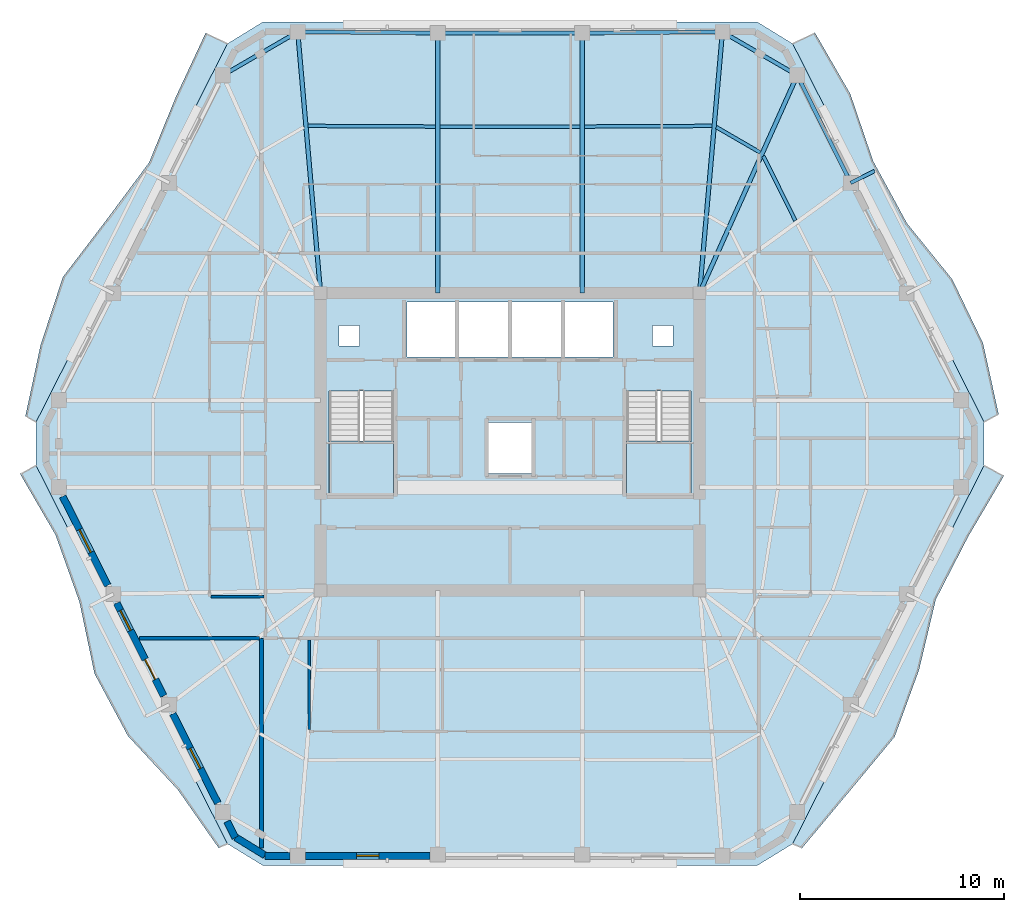
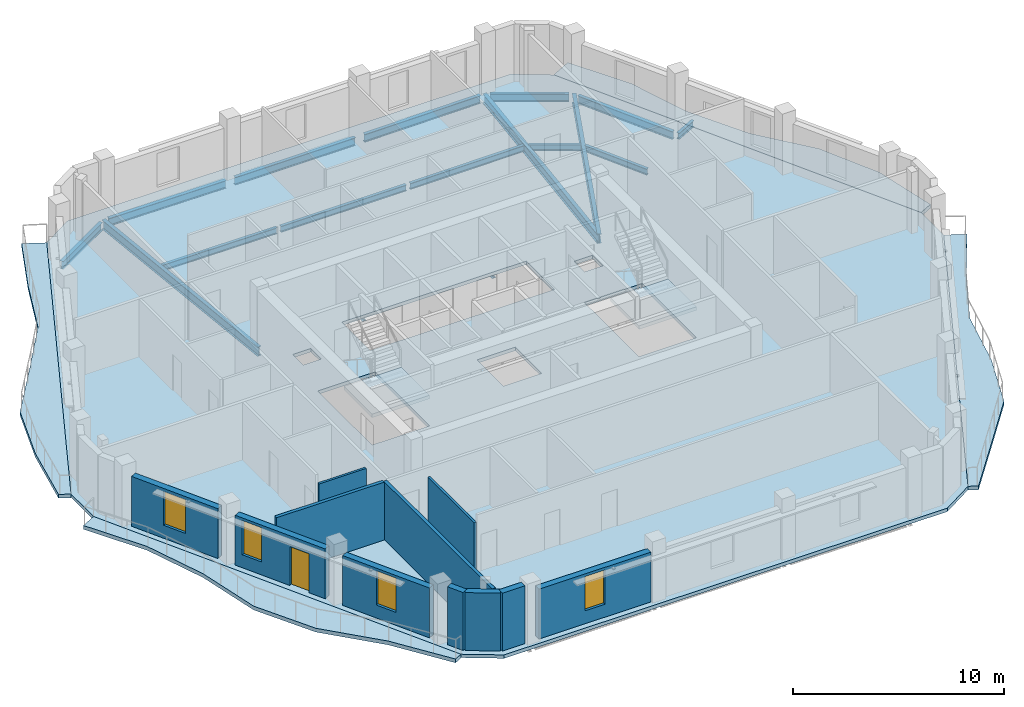
# One storey, part 3 of 11: 17 beams, 11 walls, 7 slabs, 4 windows, 1 door, 5 openings, 2 elements without a shape of their own.
"""IFC4 building model written with IfcOpenShell, lengths in metres."""

import ifcopenshell
import ifcopenshell.guid

model = None  # the IFC model being written
_history = None  # IfcOwnerHistory: only IFC2X3 demands one
_inside = {}  # id of a spatial element -> (the spatial element, [elements in it])
_under = {}  # id of a project, library or spatial element -> (it, [spatial elements below it])
_declared = {}  # id of a project -> (the project, [libraries it declares])
_typed = {}  # id of a type object -> (the type object, [elements of that type])
_made_of = {}  # id of a material, layer set ... -> (it, [elements and type objects made of it])


def new_model(schema):
    """Start an empty IFC model of exactly this schema.

    Asked for "IFC4X3", IfcOpenShell would pick the latest addendum, in which some entities
    have other attributes; the version numbers below select the first issue.
    IFC2X3 requires an IfcOwnerHistory on every rooted entity: one is made here for all.
    """
    global model, _history
    if schema == "IFC4X3":
        model = ifcopenshell.file(schema_version=(4, 3, 0, 0))
    else:
        model = ifcopenshell.file(schema=schema)
    _inside.clear()
    _under.clear()
    _declared.clear()
    _typed.clear()
    _made_of.clear()
    _history = None
    if model.schema == "IFC2X3":
        org = make("IfcOrganization", Name="unknown")
        user = make(
            "IfcPersonAndOrganization",
            ThePerson=make("IfcPerson", FamilyName="unknown"),
            TheOrganization=org,
        )
        app = make(
            "IfcApplication",
            ApplicationDeveloper=org,
            Version="unknown",
            ApplicationFullName="unknown",
            ApplicationIdentifier="unknown",
        )
        _history = make(
            "IfcOwnerHistory",
            OwningUser=user,
            OwningApplication=app,
            ChangeAction="ADDED",
            CreationDate=0,
        )
    return model


def make(cls, **values):
    """One entity of the class cls with the attributes given. An attribute that is None is left unset."""
    return model.create_entity(
        cls, **{name: value for name, value in values.items() if value is not None}
    )


def rooted(cls, **values):
    """An entity with a GlobalId (a new one), such as an element, a storey or a relation."""
    return make(cls, GlobalId=ifcopenshell.guid.new(), OwnerHistory=_history, **values)


def si_unit(unit_type, name, prefix=None):
    """IfcSIUnit, for example si_unit("LENGTHUNIT", "METRE", prefix="MILLI")."""
    return make("IfcSIUnit", UnitType=unit_type, Prefix=prefix, Name=name)


def assignment(units):
    """IfcUnitAssignment: the units of a project."""
    return None if units is None else make("IfcUnitAssignment", Units=units)


def point(xyz):
    """IfcCartesianPoint."""
    return None if xyz is None else make("IfcCartesianPoint", Coordinates=xyz)


def direction(xyz):
    """IfcDirection."""
    return None if xyz is None else make("IfcDirection", DirectionRatios=xyz)


def frame(location, z_axis=None, x_axis=None):
    """IfcAxis2Placement3D, a coordinate frame: its origin and axes. An axis left out is left unset."""
    return make(
        "IfcAxis2Placement3D",
        Location=point(location),
        Axis=direction(z_axis),
        RefDirection=direction(x_axis),
    )


def frame_2d(location, x_axis=None):
    """IfcAxis2Placement2D, a coordinate frame in the plane: its origin and x axis."""
    return make(
        "IfcAxis2Placement2D", Location=point(location), RefDirection=direction(x_axis)
    )


def origin():
    """The frame at (0, 0, 0) with its axes left unset."""
    return frame((0.0, 0.0, 0.0))


def origin_2d():
    """The frame at (0, 0) in the plane with its x axis left unset."""
    return frame_2d((0.0, 0.0))


def place(relative_to, where):
    """IfcLocalPlacement: puts the frame where relative to a parent placement (None: the world)."""
    return make(
        "IfcLocalPlacement", PlacementRelTo=relative_to, RelativePlacement=where
    )


def context(
    kind, dimensions, precision=None, world=None, true_north=None, identifier=None
):
    """IfcGeometricRepresentationContext, for example the 3D "Model" context."""
    return make(
        "IfcGeometricRepresentationContext",
        ContextIdentifier=identifier,
        ContextType=kind,
        CoordinateSpaceDimension=dimensions,
        Precision=precision,
        WorldCoordinateSystem=world,
        TrueNorth=true_north,
    )


def subcontext(parent, identifier, kind, view, scale=None):
    """IfcGeometricRepresentationSubContext, for example "Body" below "Model"."""
    return make(
        "IfcGeometricRepresentationSubContext",
        ContextIdentifier=identifier,
        ContextType=kind,
        ParentContext=parent,
        TargetScale=scale,
        TargetView=view,
    )


def project(units=None, contexts=None):
    """IfcProject with its units and contexts."""
    return rooted(
        "IfcProject",
        Name="project",
        RepresentationContexts=contexts,
        UnitsInContext=assignment(units),
    )


def spatial(cls, under=None, at=None, **own):
    """A site, building, storey or space (cls), placed at a placement, below another one or the project."""
    s = rooted(cls, ObjectPlacement=at, **own)
    if under is not None:
        _under.setdefault(under.id(), (under, []))[1].append(s)
    return s


def polyline(points):
    """IfcPolyline through the points."""
    return make("IfcPolyline", Points=[point(p) for p in points])


def profile(cls, at=None, kind="AREA", **sizes):
    """A parametric profile (cls). Its sizes go by their IFC names, for example OverallWidth=200.0."""
    return make(cls, ProfileType=kind, Position=at, **sizes)


def rectangle(**sizes):
    """IfcRectangleProfileDef."""
    return profile("IfcRectangleProfileDef", **sizes)


def i_section(**sizes):
    """IfcIShapeProfileDef."""
    return profile("IfcIShapeProfileDef", **sizes)


def outline(outer, holes=None, kind="AREA"):
    """IfcArbitraryClosedProfileDef: a profile drawn as a closed curve; with holes, ...WithVoids."""
    if holes is None:
        return make("IfcArbitraryClosedProfileDef", ProfileType=kind, OuterCurve=outer)
    return make(
        "IfcArbitraryProfileDefWithVoids",
        ProfileType=kind,
        OuterCurve=outer,
        InnerCurves=holes,
    )


def extrude(swept, where, along, depth):
    """IfcExtrudedAreaSolid: the profile swept, set in the frame where, extruded along a direction by depth."""
    return make(
        "IfcExtrudedAreaSolid",
        SweptArea=swept,
        Position=where,
        ExtrudedDirection=direction(along),
        Depth=depth,
    )


def shape(context_of_items, identifier, shape_type, items):
    """IfcShapeRepresentation: the items that make up one representation, for example the "Body"."""
    return make(
        "IfcShapeRepresentation",
        ContextOfItems=context_of_items,
        RepresentationIdentifier=identifier,
        RepresentationType=shape_type,
        Items=items,
    )


def material(Name=None, Category=None):
    """IfcMaterial."""
    return make("IfcMaterial", Name=Name, Category=Category)


def layer(
    of_material, thickness, ventilated=None, Name=None, Category=None, Priority=None
):
    """IfcMaterialLayer: one layer of a wall or slab, of a material (None: an air gap)."""
    return make(
        "IfcMaterialLayer",
        Material=of_material,
        LayerThickness=thickness,
        IsVentilated=ventilated,
        Name=Name,
        Category=Category,
        Priority=Priority,
    )


def layer_set(layers, Name=None):
    """IfcMaterialLayerSet."""
    return make("IfcMaterialLayerSet", MaterialLayers=layers, LayerSetName=Name)


def material_profile(
    of_material, cross_section, Name=None, Category=None, Priority=None
):
    """IfcMaterialProfile: a cross section and its material."""
    return make(
        "IfcMaterialProfile",
        Name=Name,
        Material=of_material,
        Profile=cross_section,
        Priority=Priority,
        Category=Category,
    )


def profile_set(profiles, Name=None, composite=None):
    """IfcMaterialProfileSet."""
    return make(
        "IfcMaterialProfileSet",
        Name=Name,
        MaterialProfiles=profiles,
        CompositeProfile=composite,
    )


def made_of(thing, what):
    """Note that an element or type object is made of a material, layer set ...; save() writes the relation."""
    if what is not None:
        _made_of.setdefault(what.id(), (what, []))[1].append(thing)
    return thing


def type_object(cls, material=None, **own):
    """A type object (cls), such as IfcWallType, which elements share."""
    return made_of(rooted(cls, **own), material)


def element(
    cls,
    number,
    at=None,
    inside=None,
    cuts=None,
    type_object=None,
    material=None,
    context=None,
    identifier="Body",
    shape_type=None,
    held_by="IfcProductDefinitionShape",
    body=None,
    shapes=None,
    **own,
):
    """One element of the class cls, such as IfcWall. Its Tag is "e" and its number.

    at: its placement. inside: the storey or other place that contains it. cuts: it is an
    opening in that element (IfcRelVoidsElement). A single representation is given by context,
    identifier, shape_type and body (its items); several are given by shapes. held_by: the class
    of the entity that holds the representations. save() writes the other relations.
    """
    e = rooted(cls, Tag="e%d" % number, ObjectPlacement=at, **own)
    if body is not None:
        shapes = [shape(context, identifier, shape_type, body)]
    if shapes is not None:
        e.Representation = make(held_by, Representations=shapes)
    if inside is not None:
        _inside.setdefault(inside.id(), (inside, []))[1].append(e)
    if cuts is not None:
        rooted(
            "IfcRelVoidsElement", RelatingBuildingElement=cuts, RelatedOpeningElement=e
        )
    if type_object is not None:
        _typed.setdefault(type_object.id(), (type_object, []))[1].append(e)
    return made_of(e, material)


def fill(opening, filler):
    """IfcRelFillsElement: the door or window that sits in an opening."""
    return rooted(
        "IfcRelFillsElement",
        RelatingOpeningElement=opening,
        RelatedBuildingElement=filler,
    )


def aggregate(whole, parts):
    """IfcRelAggregates: a whole, such as a stair, and the parts it consists of."""
    return rooted("IfcRelAggregates", RelatingObject=whole, RelatedObjects=parts)


def save(model, path):
    """Write the relations noted so far, then the file.

    IfcRelAggregates (storeys below a building ...), IfcRelContainedInSpatialStructure (elements
    in a storey), IfcRelDefinesByType, IfcRelAssociatesMaterial and IfcRelDeclares: one each for
    every whole, place, type object, material and project.
    """
    for whole, parts in _under.values():
        aggregate(whole, parts)
    for where, things in _inside.values():
        rooted(
            "IfcRelContainedInSpatialStructure",
            RelatedElements=things,
            RelatingStructure=where,
        )
    for kind, things in _typed.values():
        rooted("IfcRelDefinesByType", RelatedObjects=things, RelatingType=kind)
    for what, things in _made_of.values():
        rooted("IfcRelAssociatesMaterial", RelatedObjects=things, RelatingMaterial=what)
    for by, libraries in _declared.values():
        rooted("IfcRelDeclares", RelatingContext=by, RelatedDefinitions=libraries)
    model.write(path)


model = new_model("IFC4")

# Units and contexts
model_context = context("Model", 3, precision=1e-05, world=origin(), true_north=direction((0.0, 1.0)))
body_context = subcontext(model_context, "Body", "Model", "MODEL_VIEW")
ifc_project = project(units=[si_unit("LENGTHUNIT", "METRE"), si_unit("AREAUNIT", "SQUARE_METRE"), si_unit("VOLUMEUNIT", "CUBIC_METRE"), si_unit("PLANEANGLEUNIT", "RADIAN"), si_unit("MASSUNIT", "GRAM", prefix="KILO")], contexts=[model_context])

# Site, building, storey
site_placement = place(None, origin())
site = spatial("IfcSite", under=ifc_project, at=site_placement, CompositionType="ELEMENT")
building_placement = place(site_placement, origin())
building = spatial("IfcBuilding", under=site, at=building_placement, Name="Cinnabar Lancet Tower", CompositionType="ELEMENT")
storey_placement = place(building_placement, frame((0.0, 0.0, 214.5)))
storey = spatial("IfcBuildingStorey", under=building, at=storey_placement, Name="L57", CompositionType="ELEMENT", Elevation=214.5)

# Beams
ifc_material_1 = material(Name="Structural steel S355", Category="steel")
ifc_material_profile_1 = material_profile(ifc_material_1, i_section(OverallWidth=0.17138671875, OverallDepth=0.35498046875, WebThickness=0.00732421875, FlangeThickness=0.011474609375, FilletRadius=0.01025390625, at=origin_2d()), Name="UKB 356x171x51")
ifc_profile_set_1 = profile_set([ifc_material_profile_1], Name="Structural steel S355")
beam_type_1 = type_object("IfcBeamType", Name="STR-BM-JST-356", PredefinedType="JOIST", material=ifc_profile_set_1)
beam_1_placement = place(storey_placement, frame((46.40087890625, 36.75, -0.376953125), z_axis=(-0.444780091128, 0.895639810714, 0.0), x_axis=(-0.895639810714, -0.444780091128, 0.0)))
element("IfcBeam", 1, at=beam_1_placement, inside=storey, type_object=beam_type_1, Name="L57 Secondary Floor Joist 29", PredefinedType="JOIST", context=body_context, shape_type="SweptSolid", body=[
    extrude(i_section(OverallWidth=0.17138671875, OverallDepth=0.35498046875, WebThickness=0.00732421875, FlangeThickness=0.011474609375, FilletRadius=0.01025390625, at=origin_2d()), origin(), (0.0, 0.0, 1.0), 3.533935546875),
])
beam_2_placement = place(storey_placement, frame((44.677978515625, 40.089111328125, -0.376953125), z_axis=(-0.865267839663, 0.501309849937, 0.0), x_axis=(-0.501309849937, -0.865267839663, 0.0)))
element("IfcBeam", 2, at=beam_2_placement, inside=storey, type_object=beam_type_1, Name="L57 Secondary Floor Joist 31", PredefinedType="JOIST", context=body_context, shape_type="SweptSolid", body=[
    extrude(i_section(OverallWidth=0.17138671875, OverallDepth=0.35498046875, WebThickness=0.00732421875, FlangeThickness=0.011474609375, FilletRadius=0.01025390625, at=origin_2d()), origin(), (0.0, 0.0, 1.0), 2.497314453125),
])
beam_3_placement = place(storey_placement, frame((42.31201171875, 41.39794921875, -0.376953125), z_axis=(-0.999986965561, -0.005105752523, 0.0), x_axis=(0.005105752523, -0.999986965561, 0.0)))
element("IfcBeam", 3, at=beam_3_placement, inside=storey, type_object=beam_type_1, Name="L57 Secondary Floor Joist 33", PredefinedType="JOIST", context=body_context, shape_type="SweptSolid", body=[
    extrude(i_section(OverallWidth=0.17138671875, OverallDepth=0.35498046875, WebThickness=0.00732421875, FlangeThickness=0.011474609375, FilletRadius=0.01025390625, at=origin_2d()), origin(), (0.0, 0.0, 1.0), 6.263916015625),
])
beam_4_placement = place(storey_placement, frame((35.837890625, 41.364990234375, -0.376953125), z_axis=(-1.0, 0.0, 0.0), x_axis=(0.0, -1.0, 0.0)))
element("IfcBeam", 4, at=beam_4_placement, inside=storey, type_object=beam_type_1, Name="L57 Secondary Floor Joist 35", PredefinedType="JOIST", context=body_context, shape_type="SweptSolid", body=[
    extrude(i_section(OverallWidth=0.17138671875, OverallDepth=0.35498046875, WebThickness=0.00732421875, FlangeThickness=0.011474609375, FilletRadius=0.01025390625, at=origin_2d()), origin(), (0.0, 0.0, 1.0), 6.8759765625),
])
beam_5_placement = place(storey_placement, frame((28.751953125, 41.365966796875, -0.376953125), z_axis=(-0.999986965561, 0.005105752523, 0.0), x_axis=(-0.005105752523, -0.999986965561, 0.0)))
element("IfcBeam", 5, at=beam_5_placement, inside=storey, type_object=beam_type_1, Name="L57 Secondary Floor Joist 37", PredefinedType="JOIST", context=body_context, shape_type="SweptSolid", body=[
    extrude(i_section(OverallWidth=0.17138671875, OverallDepth=0.35498046875, WebThickness=0.00732421875, FlangeThickness=0.011474609375, FilletRadius=0.01025390625, at=origin_2d()), origin(), (0.0, 0.0, 1.0), 6.263916015625),
])
ifc_material_2 = material(Name="Structural steel S355", Category="steel")
ifc_material_profile_2 = material_profile(ifc_material_2, i_section(OverallWidth=0.1904296875, OverallDepth=0.45703125, WebThickness=0.009033203125, FlangeThickness=0.014404296875, FilletRadius=0.01025390625, at=origin_2d()), Name="UKB 457x191x74")
ifc_profile_set_2 = profile_set([ifc_material_profile_2], Name="Structural steel S355")
beam_type_2 = type_object("IfcBeamType", Name="STR-BM-SPN-457", PredefinedType="SPANDREL", material=ifc_profile_set_2)
beam_6_placement = place(storey_placement, frame((49.008056640625, 38.822998046875, -0.427978515625), z_axis=(-0.444932986899, 0.895563865489, 0.0), x_axis=(-0.895563865489, -0.444932986899, 0.0)))
element("IfcBeam", 6, at=beam_6_placement, inside=storey, type_object=beam_type_2, Name="L57 Perimeter Spandrel 11", PredefinedType="SPANDREL", context=body_context, shape_type="SweptSolid", body=[
    extrude(i_section(OverallWidth=0.1904296875, OverallDepth=0.45703125, WebThickness=0.009033203125, FlangeThickness=0.014404296875, FilletRadius=0.01025390625, at=origin_2d()), origin(), (0.0, 0.0, 1.0), 5.398681640625),
])
beam_7_placement = place(storey_placement, frame((46.279052734375, 44.007080078125, -0.427978515625), z_axis=(-0.865195717586, 0.501434313016, 0.0), x_axis=(-0.501434313016, -0.865195717586, 0.0)))
element("IfcBeam", 7, at=beam_7_placement, inside=storey, type_object=beam_type_2, Name="L57 Perimeter Spandrel 12", PredefinedType="SPANDREL", context=body_context, shape_type="SweptSolid", body=[
    extrude(i_section(OverallWidth=0.1904296875, OverallDepth=0.45703125, WebThickness=0.009033203125, FlangeThickness=0.014404296875, FilletRadius=0.01025390625, at=origin_2d()), origin(), (0.0, 0.0, 1.0), 3.7470703125),
])
beam_8_placement = place(storey_placement, frame((42.571044921875, 46.009033203125, -0.427978515625), z_axis=(-0.999970401924, -0.007693846685, 0.0), x_axis=(0.007693846685, -0.999970401924, 0.0)))
element("IfcBeam", 8, at=beam_8_placement, inside=storey, type_object=beam_type_2, Name="L57 Perimeter Spandrel 13", PredefinedType="SPANDREL", context=body_context, shape_type="SweptSolid", body=[
    extrude(i_section(OverallWidth=0.1904296875, OverallDepth=0.45703125, WebThickness=0.009033203125, FlangeThickness=0.014404296875, FilletRadius=0.01025390625, at=origin_2d()), origin(), (0.0, 0.0, 1.0), 6.378173828125),
])
beam_9_placement = place(storey_placement, frame((35.693115234375, 45.9580078125, -0.427978515625), z_axis=(-1.0, 0.0, 0.0), x_axis=(0.0, -1.0, 0.0)))
element("IfcBeam", 9, at=beam_9_placement, inside=storey, type_object=beam_type_2, Name="L57 Perimeter Spandrel 14", PredefinedType="SPANDREL", context=body_context, shape_type="SweptSolid", body=[
    extrude(i_section(OverallWidth=0.1904296875, OverallDepth=0.45703125, WebThickness=0.009033203125, FlangeThickness=0.014404296875, FilletRadius=0.01025390625, at=origin_2d()), origin(), (0.0, 0.0, 1.0), 6.586181640625),
])
beam_10_placement = place(storey_placement, frame((28.60693359375, 45.9599609375, -0.427978515625), z_axis=(-0.999970401924, 0.007693846685, 0.0), x_axis=(-0.007693846685, -0.999970401924, 0.0)))
element("IfcBeam", 10, at=beam_10_placement, inside=storey, type_object=beam_type_2, Name="L57 Perimeter Spandrel 15", PredefinedType="SPANDREL", context=body_context, shape_type="SweptSolid", body=[
    extrude(i_section(OverallWidth=0.1904296875, OverallDepth=0.45703125, WebThickness=0.009033203125, FlangeThickness=0.014404296875, FilletRadius=0.01025390625, at=origin_2d()), origin(), (0.0, 0.0, 1.0), 6.378173828125),
])
beam_11_placement = place(storey_placement, frame((21.762939453125, 45.885986328125, -0.427978515625), z_axis=(-0.865195717586, -0.501434313016, 0.0), x_axis=(0.501434313016, -0.865195717586, 0.0)))
element("IfcBeam", 11, at=beam_11_placement, inside=storey, type_object=beam_type_2, Name="L57 Perimeter Spandrel 16", PredefinedType="SPANDREL", context=body_context, shape_type="SweptSolid", body=[
    extrude(i_section(OverallWidth=0.1904296875, OverallDepth=0.45703125, WebThickness=0.009033203125, FlangeThickness=0.014404296875, FilletRadius=0.01025390625, at=origin_2d()), origin(), (0.0, 0.0, 1.0), 3.7470703125),
])
ifc_material_3 = material(Name="Structural steel S355", Category="steel")
ifc_material_profile_3 = material_profile(ifc_material_3, i_section(OverallWidth=0.209228515625, OverallDepth=0.533203125, WebThickness=0.010009765625, FlangeThickness=0.015625, FilletRadius=0.0126953125, at=origin_2d()), Name="UKB 533x210x92")
ifc_profile_set_3 = profile_set([ifc_material_profile_3], Name="Structural steel S355")
beam_type_3 = type_object("IfcBeamType", Name="STR-BM-UKB533-92", PredefinedType="BEAM", material=ifc_profile_set_3)
beam_12_placement = place(storey_placement, frame((46.4951171875, 43.882080078125, -0.467041015625), z_axis=(-0.409527011626, -0.912297992297, 0.0), x_axis=(0.912297992297, -0.409527011626, 0.0)))
element("IfcBeam", 12, at=beam_12_placement, inside=storey, type_object=beam_type_3, Name="L57 Primary Floor Girder 12", PredefinedType="BEAM", context=body_context, shape_type="SweptSolid", body=[
    extrude(i_section(OverallWidth=0.209228515625, OverallDepth=0.533203125, WebThickness=0.010009765625, FlangeThickness=0.015625, FilletRadius=0.0126953125, at=origin_2d()), origin(), (0.0, 0.0, 1.0), 11.708984375),
])
beam_13_placement = place(storey_placement, frame((42.821044921875, 46.010986328125, -0.467041015625), z_axis=(-0.087176841412, -0.996192851973, 0.0), x_axis=(0.996192851973, -0.087176841412, 0.0)))
element("IfcBeam", 13, at=beam_13_placement, inside=storey, type_object=beam_type_3, Name="L57 Primary Floor Girder 13", PredefinedType="BEAM", context=body_context, shape_type="SweptSolid", body=[
    extrude(i_section(OverallWidth=0.209228515625, OverallDepth=0.533203125, WebThickness=0.010009765625, FlangeThickness=0.015625, FilletRadius=0.0126953125, at=origin_2d()), origin(), (0.0, 0.0, 1.0), 12.860107421875),
])
for number, where, z_axis, x_axis, name in (
    (14, (35.943115234375, 45.9580078125, -0.467041015625), (0.0, -1.0, 0.0), (1.0, 0.0, 0.0), "L57 Primary Floor Girder 14"),
    (15, (28.85693359375, 45.9580078125, -0.467041015625), (0.0, -1.0, 0.0), (1.0, 0.0, 0.0), "L57 Primary Floor Girder 15"),
):
    element("IfcBeam", number, at=place(storey_placement, frame(where, z_axis=z_axis, x_axis=x_axis)), inside=storey, type_object=beam_type_3, Name=name, PredefinedType="BEAM", context=body_context, shape_type="SweptSolid", body=[
        extrude(i_section(OverallWidth=0.209228515625, OverallDepth=0.533203125, WebThickness=0.010009765625, FlangeThickness=0.015625, FilletRadius=0.0126953125, at=origin_2d()), origin(), (0.0, 0.0, 1.0), 12.758056640625),
    ])
beam_14_placement = place(storey_placement, frame((21.97900390625, 46.010986328125, -0.467041015625), z_axis=(0.087176841412, -0.996192851973, 0.0), x_axis=(0.996192851973, 0.087176841412, 0.0)))
element("IfcBeam", 16, at=beam_14_placement, inside=storey, type_object=beam_type_3, Name="L57 Primary Floor Girder 16", PredefinedType="BEAM", context=body_context, shape_type="SweptSolid", body=[
    extrude(i_section(OverallWidth=0.209228515625, OverallDepth=0.533203125, WebThickness=0.010009765625, FlangeThickness=0.015625, FilletRadius=0.0126953125, at=origin_2d()), origin(), (0.0, 0.0, 1.0), 12.860107421875),
])
ifc_material_4 = material(Name="Structural steel S355", Category="steel")
ifc_material_profile_4 = material_profile(ifc_material_4, i_section(OverallWidth=0.17138671875, OverallDepth=0.35498046875, WebThickness=0.00732421875, FlangeThickness=0.011474609375, FilletRadius=0.01025390625, at=origin_2d()), Name="UKB 356x171x51")
ifc_profile_set_4 = profile_set([ifc_material_profile_4], Name="Structural steel S355")
beam_type_4 = type_object("IfcBeamType", Name="STR-BM-WAV-OUT", PredefinedType="BEAM", material=ifc_profile_set_4)
beam_15_placement = place(storey_placement, frame((49.118896484375, 38.59912109375, -0.39794921875), z_axis=(0.892314203325, 0.451414845285, 0.0), x_axis=(-0.451414845285, 0.892314203325, 0.0)))
element("IfcBeam", 17, at=beam_15_placement, inside=storey, type_object=beam_type_4, Name="L57 Face 3 Balcony Outlooker B", PredefinedType="BEAM", context=body_context, shape_type="SweptSolid", body=[
    extrude(i_section(OverallWidth=0.17138671875, OverallDepth=0.35498046875, WebThickness=0.00732421875, FlangeThickness=0.011474609375, FilletRadius=0.01025390625, at=origin_2d()), origin(), (0.0, 0.0, 1.0), 1.300048828125),
])

# Stair, slab
ifc_material_5 = material(Name="Concrete C40/50", Category="concrete")
stair_type = type_object("IfcStairType", Name="ST-CORE", PredefinedType="HALF_TURN_STAIR", material=ifc_material_5)
stair_1_placement = place(storey_placement, origin())
stair_1 = element("IfcStair", 18, at=stair_1_placement, inside=storey, type_object=stair_type, Name="L57 ST-1", PredefinedType="HALF_TURN_STAIR")
ifc_material_6 = material(Name="Concrete C40/50", Category="concrete")
ifc_layer_1 = layer(ifc_material_6, 0.199951171875)
ifc_layer_set_1 = layer_set([ifc_layer_1], Name="Concrete C40/50")
slab_type_1 = type_object("IfcSlabType", Name="LANDING-CORE", PredefinedType="LANDING", material=ifc_layer_set_1)
slab_1_placement = place(storey_placement, frame((0.0, 0.0, 1.574951171875)))
slab_1 = element("IfcSlab", 19, at=slab_1_placement, type_object=slab_type_1, Name="ST-1 landing 1", PredefinedType="LANDING", context=body_context, shape_type="SweptSolid", body=[
    extrude(outline(polyline([(23.52490234375, 25.925048828125), (23.52490234375, 23.25), (26.675048828125, 23.25), (26.675048828125, 25.925048828125), (23.52490234375, 25.925048828125)])), origin(), (0.0, 0.0, 1.0), 0.199951171875),
])
aggregate(stair_1, [slab_1])

stair_2_placement = place(storey_placement, origin())
stair_2 = element("IfcStair", 20, at=stair_2_placement, inside=storey, type_object=stair_type, Name="L57 ST-2", PredefinedType="HALF_TURN_STAIR")
slab_2_placement = place(storey_placement, frame((0.0, 0.0, 1.574951171875)))
slab_2 = element("IfcSlab", 21, at=slab_2_placement, type_object=slab_type_1, Name="ST-2 landing 1", PredefinedType="LANDING", context=body_context, shape_type="SweptSolid", body=[
    extrude(outline(polyline([(38.125, 25.925048828125), (38.125, 23.25), (41.27490234375, 23.25), (41.27490234375, 25.925048828125), (38.125, 25.925048828125)])), origin(), (0.0, 0.0, 1.0), 0.199951171875),
])
aggregate(stair_2, [slab_2])

# Slabs
ifc_material_7 = material(Name="Concrete C40/50", Category="concrete")
ifc_layer_2 = layer(ifc_material_7, 0.199951171875)
ifc_layer_set_2 = layer_set([ifc_layer_2], Name="Concrete C40/50")
slab_type_2 = type_object("IfcSlabType", Name="STR-SLB-FLR-200", PredefinedType="FLOOR", material=ifc_layer_set_2)
slab_3_placement = place(storey_placement, frame((0.0, 0.0, -0.199951171875)))
element("IfcSlab", 22, at=slab_3_placement, inside=storey, type_object=slab_type_2, Name="L57 Structural Floor Slab", PredefinedType="FLOOR", context=body_context, shape_type="SweptSolid", body=[
    extrude(outline(polyline([(18.530029296875, 6.1708984375), (20.27197265625, 5.10009765625), (44.528076171875, 5.10009765625), (46.27001953125, 6.1708984375), (55.657958984375, 24.72900390625), (55.657958984375, 26.87109375), (46.27001953125, 45.428955078125), (44.528076171875, 46.5), (20.27197265625, 46.5), (18.530029296875, 45.428955078125), (9.14208984375, 26.87109375), (9.14208984375, 24.72900390625), (18.530029296875, 6.1708984375)]), holes=[polyline([(23.52490234375, 23.25), (26.675048828125, 23.25), (26.675048828125, 28.3994140625), (23.52490234375, 28.3994140625), (23.52490234375, 23.25)]), polyline([(38.125, 23.25), (41.27490234375, 23.25), (41.27490234375, 28.3994140625), (38.125, 28.3994140625), (38.125, 23.25)]), polyline([(27.35009765625, 30.050048828125), (37.449951171875, 30.050048828125), (37.449951171875, 32.75), (27.35009765625, 32.75), (27.35009765625, 30.050048828125)]), polyline([(31.35009765625, 24.35009765625), (33.449951171875, 24.35009765625), (33.449951171875, 26.85009765625), (31.35009765625, 26.85009765625), (31.35009765625, 24.35009765625)]), polyline([(24.0, 30.60009765625), (25.0, 30.60009765625), (25.0, 31.60009765625), (24.0, 31.60009765625), (24.0, 30.60009765625)]), polyline([(39.39990234375, 30.60009765625), (40.39990234375, 30.60009765625), (40.39990234375, 31.60009765625), (39.39990234375, 31.60009765625), (39.39990234375, 30.60009765625)])]), origin(), (0.0, 0.0, 1.0), 0.199951171875),
])
ifc_material_8 = material(Name="Concrete C45/55", Category="concrete")
ifc_layer_3 = layer(ifc_material_8, 0.219970703125)
ifc_layer_set_3 = layer_set([ifc_layer_3], Name="Concrete C45/55")
slab_type_3 = type_object("IfcSlabType", Name="STR-SLB-WAV-220", PredefinedType="FLOOR", material=ifc_layer_set_3)
slab_4_placement = place(storey_placement, frame((0.0, 0.0, -0.219970703125)))
element("IfcSlab", 23, at=slab_4_placement, inside=storey, type_object=slab_type_3, Name="L57 Face 2 Undulating Wave Balcony Slab", PredefinedType="FLOOR", context=body_context, shape_type="SweptSolid", body=[
    extrude(outline(polyline([(46.27001953125, 6.1708984375), (46.716064453125, 5.945068359375), (48.998046875, 8.676025390625), (51.26708984375, 11.412109375), (52.465087890625, 14.69091796875), (53.291015625, 18.156982421875), (54.876953125, 21.239013671875), (56.638916015625, 24.23291015625), (55.657958984375, 24.72900390625), (46.27001953125, 6.1708984375)])), origin(), (0.0, 0.0, 1.0), 0.219970703125),
])
slab_5_placement = place(storey_placement, frame((0.0, 0.0, -0.219970703125)))
element("IfcSlab", 24, at=slab_5_placement, inside=storey, type_object=slab_type_3, Name="L57 Face 3 Undulating Wave Balcony Slab", PredefinedType="FLOOR", context=body_context, shape_type="SweptSolid", body=[
    extrude(outline(polyline([(55.657958984375, 26.87109375), (56.3779296875, 27.235107421875), (55.610107421875, 30.73095703125), (54.10791015625, 33.85595703125), (51.881103515625, 36.614013671875), (50.221923828125, 39.658935546875), (49.092041015625, 42.971923828125), (47.35595703125, 45.97802734375), (46.27001953125, 45.428955078125), (55.657958984375, 26.87109375)])), origin(), (0.0, 0.0, 1.0), 0.219970703125),
])
slab_6_placement = place(storey_placement, frame((0.0, 0.0, -0.219970703125)))
element("IfcSlab", 25, at=slab_6_placement, inside=storey, type_object=slab_type_3, Name="L57 Face 5 Undulating Wave Balcony Slab", PredefinedType="FLOOR", context=body_context, shape_type="SweptSolid", body=[
    extrude(outline(polyline([(18.530029296875, 45.428955078125), (17.466064453125, 45.967041015625), (16.0, 42.823974609375), (14.68798828125, 39.60400390625), (12.591064453125, 36.780029296875), (10.4541015625, 33.97705078125), (9.362060546875, 30.64404296875), (8.613037109375, 27.138916015625), (9.14208984375, 26.87109375), (18.530029296875, 45.428955078125)])), origin(), (0.0, 0.0, 1.0), 0.219970703125),
])
slab_7_placement = place(storey_placement, frame((0.0, 0.0, -0.219970703125)))
element("IfcSlab", 26, at=slab_7_placement, inside=storey, type_object=slab_type_3, Name="L57 Face 6 Undulating Wave Balcony Slab", PredefinedType="FLOOR", context=body_context, shape_type="SweptSolid", body=[
    extrude(outline(polyline([(9.14208984375, 24.72900390625), (8.35107421875, 24.3291015625), (10.095947265625, 21.326904296875), (11.27001953125, 18.035888671875), (12.006103515625, 14.52392578125), (13.64306640625, 11.468017578125), (16.094970703125, 8.823974609375), (18.10595703125, 5.9560546875), (18.530029296875, 6.1708984375), (9.14208984375, 24.72900390625)])), origin(), (0.0, 0.0, 1.0), 0.219970703125),
])

# Walls
ifc_material_9 = material(Name="Fire-rated twin-frame acoustic drywall", Category="gypsum")
ifc_layer_4 = layer(ifc_material_9, 0.179931640625)
ifc_layer_set_4 = layer_set([ifc_layer_4], Name="Fire-rated twin-frame acoustic drywall")
wall_type_1 = type_object("IfcWallType", Name="ARC-WL-PARTY-180", PredefinedType="PARTITIONING", material=ifc_layer_set_4)
wall_1_placement = place(storey_placement, frame((20.199951171875, 5.968017578125, 0.0), z_axis=(0.0, 0.0, 1.0), x_axis=(0.0, 1.0, 0.0)))
element("IfcWall", 27, at=wall_1_placement, inside=storey, type_object=wall_type_1, Name="PW-L57-SPTY-202", PredefinedType="PARTITIONING", context=body_context, shape_type="SweptSolid", body=[
    extrude(rectangle(XDim=10.281982421875, YDim=0.179931640625, at=frame_2d((5.14111328125, 0.0))), origin(), (0.0, 0.0, 1.0), 3.35009765625),
])
wall_2_placement = place(storey_placement, frame((14.2109375, 16.25, 0.0), z_axis=(0.0, 0.0, 1.0), x_axis=(1.0, 0.0, 0.0)))
element("IfcWall", 28, at=wall_2_placement, inside=storey, type_object=wall_type_1, Name="PW-L57-WSB", PredefinedType="PARTITIONING", context=body_context, shape_type="SweptSolid", body=[
    extrude(rectangle(XDim=5.89404296875, YDim=0.179931640625, at=frame_2d((2.947021484375, 0.0))), origin(), (0.0, 0.0, 1.0), 3.35009765625),
])
ifc_material_10 = material(Name="Gypsum plasterboard stud partition", Category="gypsum")
ifc_layer_5 = layer(ifc_material_10, 0.125)
ifc_layer_set_5 = layer_set([ifc_layer_5], Name="Gypsum plasterboard stud partition")
wall_type_2 = type_object("IfcWallType", Name="ARC-WL-UNIT-125", PredefinedType="PARTITIONING", material=ifc_layer_set_5)
wall_3_placement = place(storey_placement, frame((22.550048828125, 11.7900390625, 0.0), z_axis=(0.0, 0.0, 1.0), x_axis=(0.0, 1.0, 0.0)))
element("IfcWall", 29, at=wall_3_placement, inside=storey, type_object=wall_type_2, Name="UW-L57-S01-FOYE", PredefinedType="PARTITIONING", context=body_context, shape_type="SweptSolid", body=[
    extrude(rectangle(XDim=4.375, YDim=0.125, at=frame_2d((2.1875, 0.0))), origin(), (0.0, 0.0, 1.0), 2.806884765625),
])
wall_4_placement = place(storey_placement, frame((17.735107421875, 18.300048828125, 0.0), z_axis=(0.0, 0.0, 1.0), x_axis=(1.0, 0.0, 0.0)))
element("IfcWall", 30, at=wall_4_placement, inside=storey, type_object=wall_type_2, Name="UW-L57-W01-FOYN", PredefinedType="PARTITIONING", context=body_context, shape_type="SweptSolid", body=[
    extrude(rectangle(XDim=2.579833984375, YDim=0.125, at=frame_2d((1.2900390625, 0.0))), origin(), (0.0, 0.0, 1.0), 2.806884765625),
])
ifc_material_11 = material(Name="Cinnabar red clay brick", Category="masonry")
ifc_layer_6 = layer(ifc_material_11, 0.340087890625)
ifc_layer_set_6 = layer_set([ifc_layer_6], Name="Cinnabar red clay brick")
wall_type_3 = type_object("IfcWallType", Name="ENV-WL-BRK-RED-340", PredefinedType="STANDARD", material=ifc_layer_set_6)
wall_5_placement = place(storey_placement, frame((18.93798828125, 6.48388671875, 0.0), z_axis=(0.0, 0.0, 1.0), x_axis=(0.851778214877, -0.523902541185, 0.0)))
element("IfcWall", 31, at=wall_5_placement, inside=storey, type_object=wall_type_3, Name="L57 Chamfered Corner Brick Pier 1.1", PredefinedType="STANDARD", context=body_context, shape_type="SweptSolid", body=[
    extrude(rectangle(XDim=1.677734375, YDim=0.340087890625, at=frame_2d((0.8388671875, 0.0))), origin(), (0.0, 0.0, 1.0), 3.35009765625),
])
wall_6_placement = place(storey_placement, frame((20.362060546875, 5.580078125, 0.0), z_axis=(0.0, 0.0, 1.0), x_axis=(1.0, 0.0, 0.0)))
element("IfcWall", 32, at=wall_6_placement, inside=storey, type_object=wall_type_3, Name="L57 Face 1 Masonry Bay Wall 1", PredefinedType="STANDARD", context=body_context, shape_type="SweptSolid", body=[
    extrude(rectangle(XDim=1.238037109375, YDim=0.340087890625, at=frame_2d((0.619140625, 0.0))), origin(), (0.0, 0.0, 1.0), 3.35009765625),
])

# Wall, opening, window
wall_7_placement = place(storey_placement, frame((22.35791015625, 5.580078125, 0.0), z_axis=(0.0, 0.0, 1.0), x_axis=(1.0, 0.0, 0.0)))
wall_7 = element("IfcWall", 33, at=wall_7_placement, inside=storey, type_object=wall_type_3, Name="L57 Face 1 Masonry Bay Wall 2", PredefinedType="STANDARD", context=body_context, shape_type="SweptSolid", body=[
    extrude(rectangle(XDim=6.1201171875, YDim=0.340087890625, at=frame_2d((3.06005859375, 0.0))), origin(), (0.0, 0.0, 1.0), 2.883056640625),
])
opening_1_placement = place(wall_7_placement, frame((2.510009765625, 0.0, 0.75)))
opening_1 = element("IfcOpeningElement", 34, at=opening_1_placement, cuts=wall_7, Name="Opening WN-04", PredefinedType="OPENING", context=body_context, shape_type="SweptSolid", body=[
    extrude(rectangle(XDim=1.10009765625, YDim=1.98291015625, at=frame_2d((0.550048828125, 0.991455078125))), frame((0.0, 0.179931640625, 0.0), z_axis=(0.0, -1.0, 0.0), x_axis=(1.0, 0.0, 0.0)), (0.0, 0.0, 1.0), 0.360107421875),
])
ifc_material_12 = material(Name="Thermally broken bronze-anodized aluminium tall lancet window", Category="aluminium")
window_type_1 = type_object("IfcWindowType", Name="ENV-WN-LANCET-1100", PartitioningType="SINGLE_PANEL", PredefinedType="WINDOW", material=ifc_material_12)
window_1_placement = place(opening_1_placement, origin())
window_1 = element("IfcWindow", 35, at=window_1_placement, inside=storey, type_object=window_type_1, Name="L57 Face 1 Gothic Lancet Window 2", OverallHeight=1.98291015625, OverallWidth=1.10009765625, PartitioningType="SINGLE_PANEL", PredefinedType="WINDOW", context=body_context, shape_type="SweptSolid", body=[
    extrude(rectangle(XDim=1.10009765625, YDim=1.98291015625, at=frame_2d((0.550048828125, 0.991455078125))), frame((0.0, 0.030029296875, 0.0), z_axis=(0.0, -1.0, 0.0), x_axis=(1.0, 0.0, 0.0)), (0.0, 0.0, 1.0), 0.06005859375),
])
fill(opening_1, window_1)

wall_8_placement = place(storey_placement, frame((10.447021484375, 23.2119140625, 0.0), z_axis=(0.0, 0.0, 1.0), x_axis=(0.451566029745, -0.892237704191, 0.0)))
wall_8 = element("IfcWall", 36, at=wall_8_placement, inside=storey, type_object=wall_type_3, Name="L57 Face 6 Masonry Bay Wall 2", PredefinedType="STANDARD", context=body_context, shape_type="SweptSolid", body=[
    extrude(rectangle(XDim=4.88525390625, YDim=0.340087890625, at=frame_2d((2.442626953125, 0.0))), origin(), (0.0, 0.0, 1.0), 2.883056640625),
])
opening_2_placement = place(wall_8_placement, frame((1.818115234375, 0.0, 0.75)))
opening_2 = element("IfcOpeningElement", 37, at=opening_2_placement, cuts=wall_8, Name="Opening WN-03", PredefinedType="OPENING", context=body_context, shape_type="SweptSolid", body=[
    extrude(rectangle(XDim=1.25, YDim=1.949951171875, at=frame_2d((0.625, 0.97509765625))), frame((0.0, 0.179931640625, 0.0), z_axis=(0.0, -1.0, 0.0), x_axis=(1.0, 0.0, 0.0)), (0.0, 0.0, 1.0), 0.360107421875),
])
ifc_material_13 = material(Name="Thermally broken bronze-anodized aluminium low-E double glazing", Category="aluminium")
window_type_2 = type_object("IfcWindowType", Name="ENV-WN-LANCET-1250", PartitioningType="SINGLE_PANEL", PredefinedType="WINDOW", material=ifc_material_13)
window_2_placement = place(opening_2_placement, origin())
window_2 = element("IfcWindow", 38, at=window_2_placement, inside=storey, type_object=window_type_2, Name="L57 Face 6 Gothic Lancet Window 2", OverallHeight=1.949951171875, OverallWidth=1.25, PartitioningType="SINGLE_PANEL", PredefinedType="WINDOW", context=body_context, shape_type="SweptSolid", body=[
    extrude(rectangle(XDim=1.25, YDim=1.949951171875, at=frame_2d((0.625, 0.97509765625))), frame((0.0, 0.030029296875, 0.0), z_axis=(0.0, -1.0, 0.0), x_axis=(1.0, 0.0, 0.0)), (0.0, 0.0, 1.0), 0.06005859375),
])
fill(opening_2, window_2)

# Wall, openings, door, window
wall_9_placement = place(storey_placement, frame((13.096923828125, 17.972900390625, 0.0), z_axis=(0.0, 0.0, 1.0), x_axis=(0.451463920536, -0.892289374841, 0.0)))
wall_9 = element("IfcWall", 39, at=wall_9_placement, inside=storey, type_object=wall_type_3, Name="L57 Face 6 Masonry Bay Wall 3", PredefinedType="STANDARD", context=body_context, shape_type="SweptSolid", body=[
    extrude(rectangle(XDim=5.0947265625, YDim=0.340087890625, at=frame_2d((2.54736328125, 0.0))), origin(), (0.0, 0.0, 1.0), 2.883056640625),
])
opening_3_placement = place(wall_9_placement, frame((3.087890625, 0.0, 0.0)))
opening_3 = element("IfcOpeningElement", 40, at=opening_3_placement, cuts=wall_9, Name="Opening TD-01", PredefinedType="OPENING", context=body_context, shape_type="SweptSolid", body=[
    extrude(rectangle(XDim=1.10009765625, YDim=2.25, at=frame_2d((0.550048828125, 1.125))), frame((0.0, 0.179931640625, 0.0), z_axis=(0.0, -1.0, 0.0), x_axis=(1.0, 0.0, 0.0)), (0.0, 0.0, 1.0), 0.360107421875),
])
opening_4_placement = place(wall_9_placement, frame((0.39501953125, 0.0, 0.75)))
opening_4 = element("IfcOpeningElement", 41, at=opening_4_placement, cuts=wall_9, Name="Opening WN-04", PredefinedType="OPENING", context=body_context, shape_type="SweptSolid", body=[
    extrude(rectangle(XDim=1.10009765625, YDim=1.98291015625, at=frame_2d((0.550048828125, 0.991455078125))), frame((0.0, 0.179931640625, 0.0), z_axis=(0.0, -1.0, 0.0), x_axis=(1.0, 0.0, 0.0)), (0.0, 0.0, 1.0), 0.360107421875),
])
ifc_material_14 = material(Name="Thermally broken low-E glazed balcony terrace door", Category="wood")
door_type = type_object("IfcDoorType", Name="ARC-DR-BALC", OperationType="NOTDEFINED", PredefinedType="DOOR", material=ifc_material_14)
door_placement = place(opening_3_placement, origin())
door = element("IfcDoor", 42, at=door_placement, inside=storey, type_object=door_type, Name="L57 Face 6 Glazed Terrace Door", OperationType="SINGLE_SWING_RIGHT", OverallHeight=2.25, OverallWidth=1.10009765625, PredefinedType="DOOR", context=body_context, shape_type="SweptSolid", body=[
    extrude(rectangle(XDim=1.10009765625, YDim=2.25, at=frame_2d((0.550048828125, 1.125))), frame((0.0, 0.02490234375, 0.0), z_axis=(0.0, -1.0, 0.0), x_axis=(1.0, 0.0, 0.0)), (0.0, 0.0, 1.0), 0.050048828125),
])
fill(opening_3, door)
window_3_placement = place(opening_4_placement, origin())
window_3 = element("IfcWindow", 43, at=window_3_placement, inside=storey, type_object=window_type_1, Name="L57 Split-Bay Gothic Lancet Window 201", OverallHeight=1.98291015625, OverallWidth=1.10009765625, PartitioningType="SINGLE_PANEL", PredefinedType="WINDOW", context=body_context, shape_type="SweptSolid", body=[
    extrude(rectangle(XDim=1.10009765625, YDim=1.98291015625, at=frame_2d((0.550048828125, 0.991455078125))), frame((0.0, 0.030029296875, 0.0), z_axis=(0.0, -1.0, 0.0), x_axis=(1.0, 0.0, 0.0)), (0.0, 0.0, 1.0), 0.06005859375),
])
fill(opening_4, window_3)

# Wall, opening, window
wall_10_placement = place(storey_placement, frame((15.843017578125, 12.544921875, 0.0), z_axis=(0.0, 0.0, 1.0), x_axis=(0.451544279509, -0.892248711763, 0.0)))
wall_10 = element("IfcWall", 44, at=wall_10_placement, inside=storey, type_object=wall_type_3, Name="L57 Face 6 Masonry Bay Wall 4", PredefinedType="STANDARD", context=body_context, shape_type="SweptSolid", body=[
    extrude(rectangle(XDim=4.909912109375, YDim=0.340087890625, at=frame_2d((2.455078125, 0.0))), origin(), (0.0, 0.0, 1.0), 2.883056640625),
])
opening_5_placement = place(wall_10_placement, frame((1.905029296875, 0.0, 0.75)))
opening_5 = element("IfcOpeningElement", 45, at=opening_5_placement, cuts=wall_10, Name="Opening WN-04", PredefinedType="OPENING", context=body_context, shape_type="SweptSolid", body=[
    extrude(rectangle(XDim=1.10009765625, YDim=1.98291015625, at=frame_2d((0.550048828125, 0.991455078125))), frame((0.0, 0.179931640625, 0.0), z_axis=(0.0, -1.0, 0.0), x_axis=(1.0, 0.0, 0.0)), (0.0, 0.0, 1.0), 0.360107421875),
])
window_4_placement = place(opening_5_placement, origin())
window_4 = element("IfcWindow", 46, at=window_4_placement, inside=storey, type_object=window_type_1, Name="L57 Face 6 Gothic Lancet Window 4", OverallHeight=1.98291015625, OverallWidth=1.10009765625, PartitioningType="SINGLE_PANEL", PredefinedType="WINDOW", context=body_context, shape_type="SweptSolid", body=[
    extrude(rectangle(XDim=1.10009765625, YDim=1.98291015625, at=frame_2d((0.550048828125, 0.991455078125))), frame((0.0, 0.030029296875, 0.0), z_axis=(0.0, -1.0, 0.0), x_axis=(1.0, 0.0, 0.0)), (0.0, 0.0, 1.0), 0.06005859375),
])
fill(opening_5, window_4)

# Wall
wall_11_placement = place(storey_placement, frame((18.51611328125, 7.261962890625, 0.0), z_axis=(0.0, 0.0, 1.0), x_axis=(0.451597983141, -0.892221531697, 0.0)))
element("IfcWall", 47, at=wall_11_placement, inside=storey, type_object=wall_type_3, Name="L57 Face 6 Masonry Bay Wall 5", PredefinedType="STANDARD", context=body_context, shape_type="SweptSolid", body=[
    extrude(rectangle(XDim=0.889892578125, YDim=0.340087890625, at=frame_2d((0.44482421875, 0.0))), origin(), (0.0, 0.0, 1.0), 3.35009765625),
])

save(model, "model.ifc")
